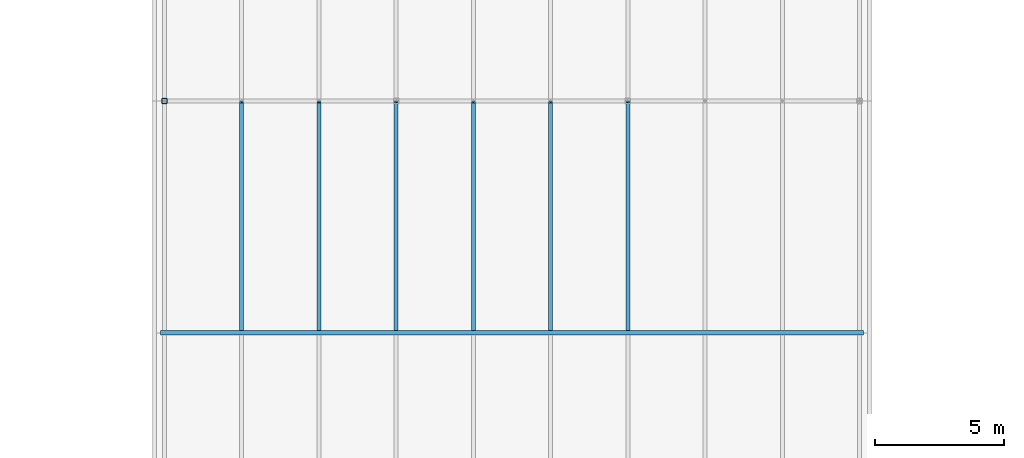
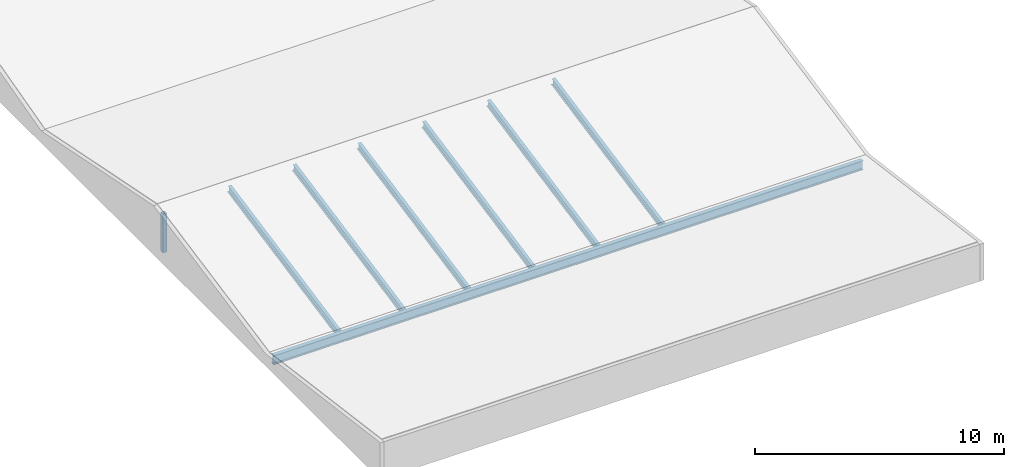
# One storey, part 4 of 29: 7 members, 1 beam.
"""IFC4 building model written with IfcOpenShell, lengths in metres."""

import ifcopenshell
import ifcopenshell.guid

model = None  # the IFC model being written
_history = None  # IfcOwnerHistory: only IFC2X3 demands one
_inside = {}  # id of a spatial element -> (the spatial element, [elements in it])
_under = {}  # id of a project, library or spatial element -> (it, [spatial elements below it])
_declared = {}  # id of a project -> (the project, [libraries it declares])
_typed = {}  # id of a type object -> (the type object, [elements of that type])
_made_of = {}  # id of a material, layer set ... -> (it, [elements and type objects made of it])


def new_model(schema):
    """Start an empty IFC model of exactly this schema.

    Asked for "IFC4X3", IfcOpenShell would pick the latest addendum, in which some entities
    have other attributes; the version numbers below select the first issue.
    IFC2X3 requires an IfcOwnerHistory on every rooted entity: one is made here for all.
    """
    global model, _history
    if schema == "IFC4X3":
        model = ifcopenshell.file(schema_version=(4, 3, 0, 0))
    else:
        model = ifcopenshell.file(schema=schema)
    _inside.clear()
    _under.clear()
    _declared.clear()
    _typed.clear()
    _made_of.clear()
    _history = None
    if model.schema == "IFC2X3":
        org = make("IfcOrganization", Name="unknown")
        user = make(
            "IfcPersonAndOrganization",
            ThePerson=make("IfcPerson", FamilyName="unknown"),
            TheOrganization=org,
        )
        app = make(
            "IfcApplication",
            ApplicationDeveloper=org,
            Version="unknown",
            ApplicationFullName="unknown",
            ApplicationIdentifier="unknown",
        )
        _history = make(
            "IfcOwnerHistory",
            OwningUser=user,
            OwningApplication=app,
            ChangeAction="ADDED",
            CreationDate=0,
        )
    return model


def make(cls, **values):
    """One entity of the class cls with the attributes given. An attribute that is None is left unset."""
    return model.create_entity(
        cls, **{name: value for name, value in values.items() if value is not None}
    )


def rooted(cls, **values):
    """An entity with a GlobalId (a new one), such as an element, a storey or a relation."""
    return make(cls, GlobalId=ifcopenshell.guid.new(), OwnerHistory=_history, **values)


def si_unit(unit_type, name, prefix=None):
    """IfcSIUnit, for example si_unit("LENGTHUNIT", "METRE", prefix="MILLI")."""
    return make("IfcSIUnit", UnitType=unit_type, Prefix=prefix, Name=name)


def assignment(units):
    """IfcUnitAssignment: the units of a project."""
    return None if units is None else make("IfcUnitAssignment", Units=units)


def point(xyz):
    """IfcCartesianPoint."""
    return None if xyz is None else make("IfcCartesianPoint", Coordinates=xyz)


def direction(xyz):
    """IfcDirection."""
    return None if xyz is None else make("IfcDirection", DirectionRatios=xyz)


def frame(location, z_axis=None, x_axis=None):
    """IfcAxis2Placement3D, a coordinate frame: its origin and axes. An axis left out is left unset."""
    return make(
        "IfcAxis2Placement3D",
        Location=point(location),
        Axis=direction(z_axis),
        RefDirection=direction(x_axis),
    )


def frame_2d(location, x_axis=None):
    """IfcAxis2Placement2D, a coordinate frame in the plane: its origin and x axis."""
    return make(
        "IfcAxis2Placement2D", Location=point(location), RefDirection=direction(x_axis)
    )


def origin():
    """The frame at (0, 0, 0) with its axes left unset."""
    return frame((0.0, 0.0, 0.0))


def origin_2d():
    """The frame at (0, 0) in the plane with its x axis left unset."""
    return frame_2d((0.0, 0.0))


def place(relative_to, where):
    """IfcLocalPlacement: puts the frame where relative to a parent placement (None: the world)."""
    return make(
        "IfcLocalPlacement", PlacementRelTo=relative_to, RelativePlacement=where
    )


def context(
    kind, dimensions, precision=None, world=None, true_north=None, identifier=None
):
    """IfcGeometricRepresentationContext, for example the 3D "Model" context."""
    return make(
        "IfcGeometricRepresentationContext",
        ContextIdentifier=identifier,
        ContextType=kind,
        CoordinateSpaceDimension=dimensions,
        Precision=precision,
        WorldCoordinateSystem=world,
        TrueNorth=true_north,
    )


def subcontext(parent, identifier, kind, view, scale=None):
    """IfcGeometricRepresentationSubContext, for example "Body" below "Model"."""
    return make(
        "IfcGeometricRepresentationSubContext",
        ContextIdentifier=identifier,
        ContextType=kind,
        ParentContext=parent,
        TargetScale=scale,
        TargetView=view,
    )


def project(units=None, contexts=None):
    """IfcProject with its units and contexts."""
    return rooted(
        "IfcProject",
        Name="project",
        RepresentationContexts=contexts,
        UnitsInContext=assignment(units),
    )


def spatial(cls, under=None, at=None, **own):
    """A site, building, storey or space (cls), placed at a placement, below another one or the project."""
    s = rooted(cls, ObjectPlacement=at, **own)
    if under is not None:
        _under.setdefault(under.id(), (under, []))[1].append(s)
    return s


def profile(cls, at=None, kind="AREA", **sizes):
    """A parametric profile (cls). Its sizes go by their IFC names, for example OverallWidth=200.0."""
    return make(cls, ProfileType=kind, Position=at, **sizes)


def hollow_rectangle(**sizes):
    """IfcRectangleHollowProfileDef."""
    return profile("IfcRectangleHollowProfileDef", **sizes)


def i_section(**sizes):
    """IfcIShapeProfileDef."""
    return profile("IfcIShapeProfileDef", **sizes)


def extrude(swept, where, along, depth):
    """IfcExtrudedAreaSolid: the profile swept, set in the frame where, extruded along a direction by depth."""
    return make(
        "IfcExtrudedAreaSolid",
        SweptArea=swept,
        Position=where,
        ExtrudedDirection=direction(along),
        Depth=depth,
    )


def shape(context_of_items, identifier, shape_type, items):
    """IfcShapeRepresentation: the items that make up one representation, for example the "Body"."""
    return make(
        "IfcShapeRepresentation",
        ContextOfItems=context_of_items,
        RepresentationIdentifier=identifier,
        RepresentationType=shape_type,
        Items=items,
    )


def material(Name=None, Category=None):
    """IfcMaterial."""
    return make("IfcMaterial", Name=Name, Category=Category)


def material_profile(
    of_material, cross_section, Name=None, Category=None, Priority=None
):
    """IfcMaterialProfile: a cross section and its material."""
    return make(
        "IfcMaterialProfile",
        Name=Name,
        Material=of_material,
        Profile=cross_section,
        Priority=Priority,
        Category=Category,
    )


def profile_set(profiles, Name=None, composite=None):
    """IfcMaterialProfileSet."""
    return make(
        "IfcMaterialProfileSet",
        Name=Name,
        MaterialProfiles=profiles,
        CompositeProfile=composite,
    )


def made_of(thing, what):
    """Note that an element or type object is made of a material, layer set ...; save() writes the relation."""
    if what is not None:
        _made_of.setdefault(what.id(), (what, []))[1].append(thing)
    return thing


def type_object(cls, material=None, **own):
    """A type object (cls), such as IfcWallType, which elements share."""
    return made_of(rooted(cls, **own), material)


def element(
    cls,
    number,
    at=None,
    inside=None,
    cuts=None,
    type_object=None,
    material=None,
    context=None,
    identifier="Body",
    shape_type=None,
    held_by="IfcProductDefinitionShape",
    body=None,
    shapes=None,
    **own,
):
    """One element of the class cls, such as IfcWall. Its Tag is "e" and its number.

    at: its placement. inside: the storey or other place that contains it. cuts: it is an
    opening in that element (IfcRelVoidsElement). A single representation is given by context,
    identifier, shape_type and body (its items); several are given by shapes. held_by: the class
    of the entity that holds the representations. save() writes the other relations.
    """
    e = rooted(cls, Tag="e%d" % number, ObjectPlacement=at, **own)
    if body is not None:
        shapes = [shape(context, identifier, shape_type, body)]
    if shapes is not None:
        e.Representation = make(held_by, Representations=shapes)
    if inside is not None:
        _inside.setdefault(inside.id(), (inside, []))[1].append(e)
    if cuts is not None:
        rooted(
            "IfcRelVoidsElement", RelatingBuildingElement=cuts, RelatedOpeningElement=e
        )
    if type_object is not None:
        _typed.setdefault(type_object.id(), (type_object, []))[1].append(e)
    return made_of(e, material)


def aggregate(whole, parts):
    """IfcRelAggregates: a whole, such as a stair, and the parts it consists of."""
    return rooted("IfcRelAggregates", RelatingObject=whole, RelatedObjects=parts)


def save(model, path):
    """Write the relations noted so far, then the file.

    IfcRelAggregates (storeys below a building ...), IfcRelContainedInSpatialStructure (elements
    in a storey), IfcRelDefinesByType, IfcRelAssociatesMaterial and IfcRelDeclares: one each for
    every whole, place, type object, material and project.
    """
    for whole, parts in _under.values():
        aggregate(whole, parts)
    for where, things in _inside.values():
        rooted(
            "IfcRelContainedInSpatialStructure",
            RelatedElements=things,
            RelatingStructure=where,
        )
    for kind, things in _typed.values():
        rooted("IfcRelDefinesByType", RelatedObjects=things, RelatingType=kind)
    for what, things in _made_of.values():
        rooted("IfcRelAssociatesMaterial", RelatedObjects=things, RelatingMaterial=what)
    for by, libraries in _declared.values():
        rooted("IfcRelDeclares", RelatingContext=by, RelatedDefinitions=libraries)
    model.write(path)


model = new_model("IFC4")

# Units and contexts
model_context = context("Model", 3, precision=1e-05, world=origin(), true_north=direction((0.0, 1.0)))
body_context = subcontext(model_context, "Body", "Model", "MODEL_VIEW")
ifc_project = project(units=[si_unit("LENGTHUNIT", "METRE"), si_unit("AREAUNIT", "SQUARE_METRE"), si_unit("VOLUMEUNIT", "CUBIC_METRE"), si_unit("PLANEANGLEUNIT", "RADIAN"), si_unit("MASSUNIT", "GRAM", prefix="KILO")], contexts=[model_context])

# Site, building, storey
site_placement = place(None, origin())
site = spatial("IfcSite", under=ifc_project, at=site_placement, CompositionType="ELEMENT")
building_placement = place(site_placement, origin())
building = spatial("IfcBuilding", under=site, at=building_placement, Name="Azimuth Sports and Learning Centre", CompositionType="ELEMENT")
storey_placement = place(building_placement, frame((0.0, 0.0, 27.0)))
storey = spatial("IfcBuildingStorey", under=building, at=storey_placement, Name="L05", CompositionType="ELEMENT", Elevation=27.0)

# Beam
ifc_material_1 = material(Name="Steel S355", Category="steel")
ifc_material_profile_1 = material_profile(ifc_material_1, i_section(OverallWidth=0.18994140625, OverallDepth=0.449951171875, WebThickness=0.009521484375, FlangeThickness=0.0146484375, FilletRadius=0.02099609375, at=origin_2d()), Name="IPE 450")
ifc_profile_set_1 = profile_set([ifc_material_profile_1], Name="Steel S355")
beam_type = type_object("IfcBeamType", Name="Beam IPE 450", PredefinedType="BEAM", material=ifc_profile_set_1)
beam_placement = place(storey_placement, frame((71.85009765625, 9.0, 0.222900390625), z_axis=(1.0, 0.0, 0.0), x_axis=(0.0, 1.0, 0.0)))
element("IfcBeam", 1, at=beam_placement, inside=storey, type_object=beam_type, Name="Beam L05 RF 2", PredefinedType="BEAM", context=body_context, shape_type="SweptSolid", body=[
    extrude(i_section(OverallWidth=0.18994140625, OverallDepth=0.449951171875, WebThickness=0.009521484375, FlangeThickness=0.0146484375, FilletRadius=0.02099609375, at=origin_2d()), origin(), (0.0, 0.0, 1.0), 27.2998046875),
])

# Members
ifc_material_2 = material(Name="Steel S355", Category="steel")
ifc_material_profile_2 = material_profile(ifc_material_2, i_section(OverallWidth=0.159912109375, OverallDepth=0.330078125, WebThickness=0.007568359375, FlangeThickness=0.011474609375, FilletRadius=0.01806640625, at=origin_2d()), Name="IPE 330")
ifc_profile_set_2 = profile_set([ifc_material_profile_2], Name="Steel S355")
member_type_1 = type_object("IfcMemberType", Name="Rafter IPE 330", PredefinedType="RAFTER", material=ifc_profile_set_2)
for number, where, z_axis, x_axis, name in (
    (2, (75.0, 9.12744140625, 0.30419921875), (0.0, 0.980581719653, 0.196110915255), (-1.0, 0.0, 0.0), "Rafter FOLD02 12"),
    (3, (78.0, 9.12744140625, 0.30419921875), (0.0, 0.980581719653, 0.196110915255), (-1.0, 0.0, 0.0), "Rafter FOLD02 13"),
    (4, (81.0, 9.12744140625, 0.30419921875), (0.0, 0.980581719653, 0.196110915255), (-1.0, 0.0, 0.0), "Rafter FOLD02 14"),
    (5, (84.0, 9.12744140625, 0.30419921875), (0.0, 0.980581719653, 0.196110915255), (-1.0, 0.0, 0.0), "Rafter FOLD02 15"),
    (6, (87.0, 9.12744140625, 0.30419921875), (0.0, 0.980581719653, 0.196110915255), (-1.0, 0.0, 0.0), "Rafter FOLD02 16"),
    (7, (90.0, 9.12744140625, 0.30419921875), (0.0, 0.980581719653, 0.196110915255), (-1.0, 0.0, 0.0), "Rafter FOLD02 17"),
):
    element("IfcMember", number, at=place(storey_placement, frame(where, z_axis=z_axis, x_axis=x_axis)), inside=storey, type_object=member_type_1, Name=name, PredefinedType="RAFTER", context=body_context, shape_type="SweptSolid", body=[
        extrude(i_section(OverallWidth=0.159912109375, OverallDepth=0.330078125, WebThickness=0.007568359375, FlangeThickness=0.011474609375, FilletRadius=0.01806640625, at=origin_2d()), origin(), (0.0, 0.0, 1.0), 8.994384765625),
    ])
ifc_material_3 = material(Name="Steel S355", Category="steel")
ifc_material_profile_3 = material_profile(ifc_material_3, hollow_rectangle(XDim=0.199951171875, YDim=0.199951171875, WallThickness=0.010009765625, InnerFilletRadius=0.010009765625, OuterFilletRadius=0.014892578125, at=origin_2d()), Name="SHS 200x200x10.0")
ifc_profile_set_3 = profile_set([ifc_material_profile_3], Name="Steel S355")
member_type_2 = type_object("IfcMemberType", Name="Truss post SHS 200x200x10.0", PredefinedType="POST", material=ifc_profile_set_3)
member_placement = place(storey_placement, frame((72.0, 18.0, 0.0), z_axis=(0.0, 0.0, 1.0), x_axis=(1.0, 0.0, 0.0)))
element("IfcMember", 8, at=member_placement, inside=storey, type_object=member_type_2, Name="Ridge post 9C", PredefinedType="POST", context=body_context, shape_type="SweptSolid", body=[
    extrude(hollow_rectangle(XDim=0.199951171875, YDim=0.199951171875, WallThickness=0.010009765625, InnerFilletRadius=0.010009765625, OuterFilletRadius=0.014892578125, at=origin_2d()), origin(), (0.0, 0.0, 1.0), 1.886962890625),
])

save(model, "model.ifc")
